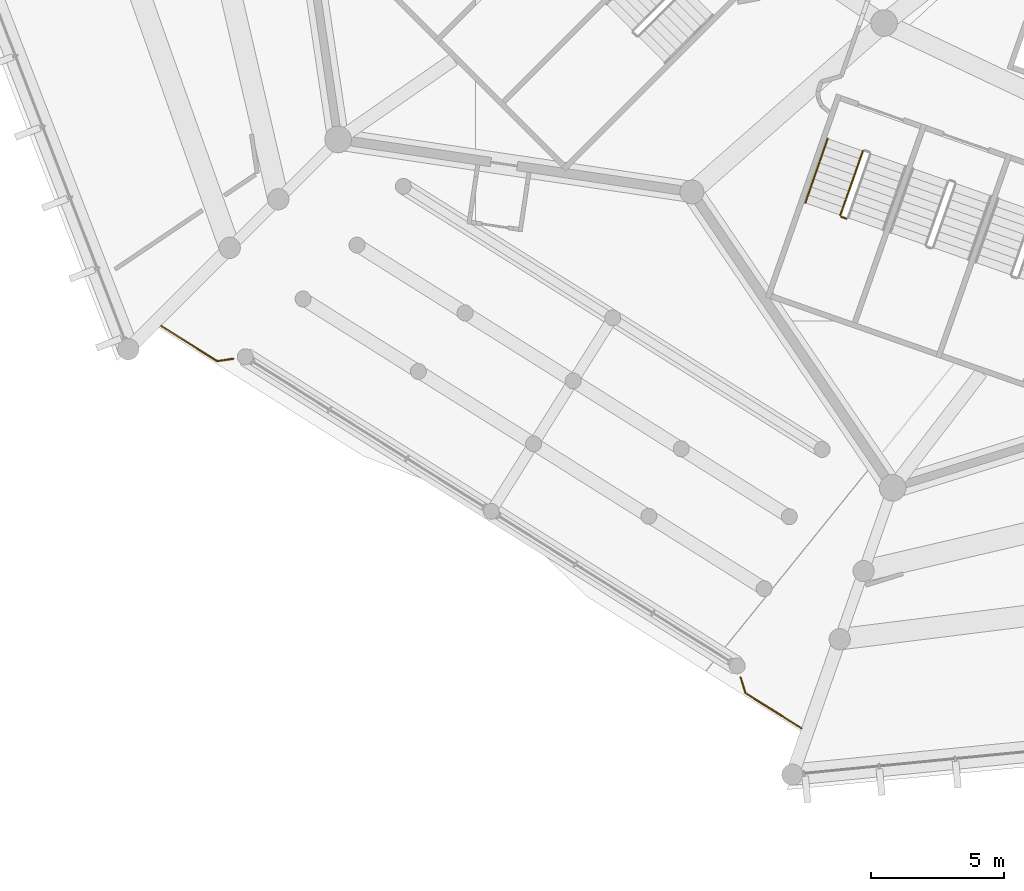
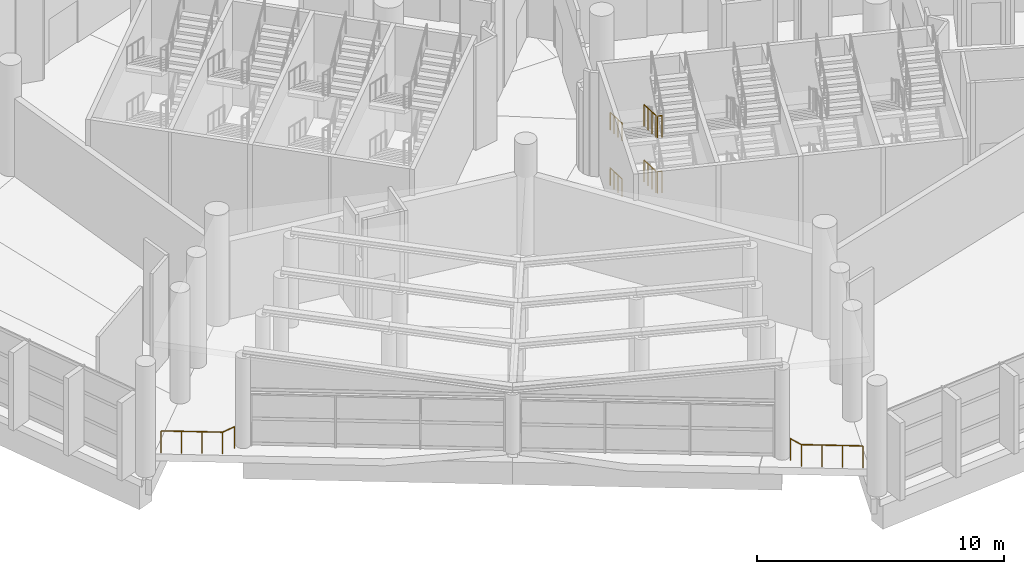
# One storey, part 221 of 271: 8 railings.
"""IFC4 building model written with IfcOpenShell, lengths in metres."""

from ifc_helpers import new_model, si_unit, direction, frame, origin, origin_2d, place, context, subcontext, project, spatial, circle, extrude, material, type_object, element, save


model = new_model("IFC4")

# Units and contexts
model_context = context("Model", 3, precision=1e-05, world=origin(), true_north=direction((0.0, 1.0)))
body_context = subcontext(model_context, "Body", "Model", "MODEL_VIEW")
ifc_project = project(units=[si_unit("LENGTHUNIT", "METRE"), si_unit("AREAUNIT", "SQUARE_METRE"), si_unit("VOLUMEUNIT", "CUBIC_METRE"), si_unit("PLANEANGLEUNIT", "RADIAN"), si_unit("MASSUNIT", "GRAM", prefix="KILO")], contexts=[model_context])

# Site, building, storey
site_placement = place(None, origin())
site = spatial("IfcSite", under=ifc_project, at=site_placement, CompositionType="ELEMENT")
building_placement = place(site_placement, origin())
building = spatial("IfcBuilding", under=site, at=building_placement, Name="Meseta Stadium", CompositionType="ELEMENT")
storey_placement = place(building_placement, frame((0.0, 0.0, 6.5)))
storey = spatial("IfcBuildingStorey", under=building, at=storey_placement, Name="L01", CompositionType="ELEMENT", Elevation=6.5)

# Railings
ifc_material_1 = material(Name="Steel S355", Category="steel")
railing_type_1 = type_object("IfcRailingType", Name="Plate edge guard 1100", PredefinedType="GUARDRAIL", material=ifc_material_1)
railing_1_placement = place(storey_placement, frame((-89.11328125, -97.4287109375, 0.0)))
element("IfcRailing", 1, at=railing_1_placement, inside=storey, type_object=railing_type_1, Name="Gate hall edge guard 15", PredefinedType="GUARDRAIL", context=body_context, shape_type="SweptSolid", body=[
    extrude(circle(Radius=0.02490234375, at=origin_2d()), frame((0.0, 0.0, 1.0751953125), z_axis=(-0.989154781044, -0.146876884287, 0.0), x_axis=(0.146876884287, -0.989154781044, 0.0)), (0.0, 0.0, 1.0), 0.6201171875),
    extrude(circle(Radius=0.02490234375, at=origin_2d()), frame((-0.61328125, -0.091064453125, 1.0751953125), z_axis=(-0.846698272461, 0.532073336497, 0.0), x_axis=(-0.532073336497, -0.846698272461, 0.0)), (0.0, 0.0, 1.0), 2.494873046875),
    extrude(circle(Radius=0.02001953125, at=origin_2d()), origin(), (0.0, 0.0, 1.0), 1.050048828125),
    extrude(circle(Radius=0.02001953125, at=origin_2d()), frame((-0.61328125, -0.091064453125, 0.0)), (0.0, 0.0, 1.0), 1.050048828125),
    extrude(circle(Radius=0.02001953125, at=origin_2d()), frame((-1.3173828125, 0.351318359375, 0.0)), (0.0, 0.0, 1.0), 1.050048828125),
    extrude(circle(Radius=0.02001953125, at=origin_2d()), frame((-2.021484375, 0.7939453125, 0.0)), (0.0, 0.0, 1.0), 1.050048828125),
    extrude(circle(Radius=0.02001953125, at=origin_2d()), frame((-2.7255859375, 1.236328125, 0.0)), (0.0, 0.0, 1.0), 1.050048828125),
])
railing_2_placement = place(storey_placement, frame((-67.729248046875, -111.341552734375, 0.0)))
element("IfcRailing", 2, at=railing_2_placement, inside=storey, type_object=railing_type_1, Name="Gate hall edge guard 16", PredefinedType="GUARDRAIL", context=body_context, shape_type="SweptSolid", body=[
    extrude(circle(Radius=0.02490234375, at=origin_2d()), frame((0.0, 0.0, 1.0751953125), z_axis=(-0.846753668308, 0.531985173861, 0.0), x_axis=(-0.531985173861, -0.846753668308, 0.0)), (0.0, 0.0, 1.0), 2.4951171875),
    extrude(circle(Radius=0.02490234375, at=origin_2d()), frame((-2.11279296875, 1.327392578125, 1.0751953125), z_axis=(-0.292228554876, 0.956348509548, 0.0), x_axis=(-0.956348509548, -0.292228554876, 0.0)), (0.0, 0.0, 1.0), 0.619140625),
    extrude(circle(Radius=0.02001953125, at=origin_2d()), origin(), (0.0, 0.0, 1.0), 1.050048828125),
    extrude(circle(Radius=0.02001953125, at=origin_2d()), frame((-0.704345703125, 0.4423828125, 0.0)), (0.0, 0.0, 1.0), 1.050048828125),
    extrude(circle(Radius=0.02001953125, at=origin_2d()), frame((-1.408447265625, 0.885009765625, 0.0)), (0.0, 0.0, 1.0), 1.050048828125),
    extrude(circle(Radius=0.02001953125, at=origin_2d()), frame((-2.11279296875, 1.327392578125, 0.0)), (0.0, 0.0, 1.0), 1.050048828125),
    extrude(circle(Radius=0.02001953125, at=origin_2d()), frame((-2.293701171875, 1.91943359375, 0.0)), (0.0, 0.0, 1.0), 1.050048828125),
])
ifc_material_2 = material(Name="Steel S355", Category="steel")
railing_type_2 = type_object("IfcRailingType", Name="Stair guard 1100", PredefinedType="GUARDRAIL", material=ifc_material_2)
railing_3_placement = place(storey_placement, frame((-65.421630859375, -89.608154296875, 0.15283203125)))
element("IfcRailing", 3, at=railing_3_placement, inside=storey, type_object=railing_type_2, Name="ST85 L01 guard 1", PredefinedType="GUARDRAIL", context=body_context, shape_type="SweptSolid", body=[
    extrude(circle(Radius=0.02392578125, at=origin_2d()), frame((0.0, 0.0, 1.076171875), z_axis=(-0.298044258026, -0.851788628844, 0.430843071233), x_axis=(0.943886603116, -0.330269708658, 0.0)), (0.0, 0.0, 1.0), 2.836669921875),
    extrude(circle(Radius=0.02099609375, at=origin_2d()), origin(), (0.0, 0.0, 1.0), 1.052001953125),
    extrude(circle(Radius=0.02099609375, at=origin_2d()), frame((-0.28173828125, -0.805419921875, 0.407470703125)), (0.0, 0.0, 1.0), 1.052001953125),
    extrude(circle(Radius=0.02099609375, at=origin_2d()), frame((-0.563720703125, -1.61083984375, 0.814697265625)), (0.0, 0.0, 1.0), 1.052001953125),
    extrude(circle(Radius=0.02099609375, at=origin_2d()), frame((-0.845458984375, -2.416259765625, 1.22216796875)), (0.0, 0.0, 1.0), 1.052001953125),
])
railing_4_placement = place(storey_placement, frame((-66.236328125, -92.088134765625, 1.375)))
element("IfcRailing", 4, at=railing_4_placement, inside=storey, type_object=railing_type_2, Name="ST85 L01 guard 2", PredefinedType="GUARDRAIL", context=body_context, shape_type="SweptSolid", body=[
    extrude(circle(Radius=0.02392578125, at=origin_2d()), frame((0.0, 0.0, 1.076171875), z_axis=(0.943686935281, -0.330839792317, 0.0), x_axis=(0.330839792317, 0.943686935281, 0.0)), (0.0, 0.0, 1.0), 0.199951171875),
    extrude(circle(Radius=0.02099609375, at=origin_2d()), origin(), (0.0, 0.0, 1.0), 1.052001953125),
    extrude(circle(Radius=0.02099609375, at=origin_2d()), frame((0.188720703125, -0.066162109375, 0.0)), (0.0, 0.0, 1.0), 1.052001953125),
])
railing_5_placement = place(storey_placement, frame((-65.421630859375, -89.608154296875, 2.90283203125)))
element("IfcRailing", 5, at=railing_5_placement, inside=storey, type_object=railing_type_2, Name="ST85 L01 guard 5", PredefinedType="GUARDRAIL", context=body_context, shape_type="SweptSolid", body=[
    extrude(circle(Radius=0.02392578125, at=origin_2d()), frame((0.0, 0.0, 1.076171875), z_axis=(-0.298044258026, -0.851788628844, 0.430843071233), x_axis=(0.943886603116, -0.330269708658, 0.0)), (0.0, 0.0, 1.0), 2.836669921875),
    extrude(circle(Radius=0.02099609375, at=origin_2d()), origin(), (0.0, 0.0, 1.0), 1.052001953125),
    extrude(circle(Radius=0.02099609375, at=origin_2d()), frame((-0.28173828125, -0.805419921875, 0.407470703125)), (0.0, 0.0, 1.0), 1.052001953125),
    extrude(circle(Radius=0.02099609375, at=origin_2d()), frame((-0.563720703125, -1.61083984375, 0.814697265625)), (0.0, 0.0, 1.0), 1.052001953125),
    extrude(circle(Radius=0.02099609375, at=origin_2d()), frame((-0.845458984375, -2.416259765625, 1.22216796875)), (0.0, 0.0, 1.0), 1.052001953125),
])
railing_6_placement = place(storey_placement, frame((-66.236328125, -92.088134765625, 4.125)))
element("IfcRailing", 6, at=railing_6_placement, inside=storey, type_object=railing_type_2, Name="ST85 L01 guard 6", PredefinedType="GUARDRAIL", context=body_context, shape_type="SweptSolid", body=[
    extrude(circle(Radius=0.02392578125, at=origin_2d()), frame((0.0, 0.0, 1.076171875), z_axis=(0.943686935281, -0.330839792317, 0.0), x_axis=(0.330839792317, 0.943686935281, 0.0)), (0.0, 0.0, 1.0), 0.199951171875),
    extrude(circle(Radius=0.02099609375, at=origin_2d()), origin(), (0.0, 0.0, 1.0), 1.052001953125),
    extrude(circle(Radius=0.02099609375, at=origin_2d()), frame((0.188720703125, -0.066162109375, 0.0)), (0.0, 0.0, 1.0), 1.052001953125),
])
ifc_material_3 = material(Name="Steel S355", Category="steel")
railing_type_3 = type_object("IfcRailingType", Name="Stair handrail 900", PredefinedType="HANDRAIL", material=ifc_material_3)
for number, where, name in (
    (7, (-66.7431640625, -89.145751953125, 0.15283203125), "ST85 L01 handrail 1"),
    (8, (-66.7431640625, -89.145751953125, 2.90283203125), "ST85 L01 handrail 3"),
):
    element("IfcRailing", number, at=place(storey_placement, frame(where)), inside=storey, type_object=railing_type_3, Name=name, PredefinedType="HANDRAIL", context=body_context, shape_type="SweptSolid", body=[
        extrude(circle(Radius=0.02392578125, at=origin_2d()), frame((0.0, 0.0, 0.8759765625), z_axis=(-0.298044258026, -0.851788628844, 0.430843071233), x_axis=(0.943886603116, -0.330269708658, 0.0)), (0.0, 0.0, 1.0), 2.836669921875),
        extrude(circle(Radius=0.02099609375, at=origin_2d()), origin(), (0.0, 0.0, 1.0), 0.851806640625),
        extrude(circle(Radius=0.02099609375, at=origin_2d()), frame((-0.28173828125, -0.805419921875, 0.407470703125)), (0.0, 0.0, 1.0), 0.851806640625),
        extrude(circle(Radius=0.02099609375, at=origin_2d()), frame((-0.563720703125, -1.61083984375, 0.814697265625)), (0.0, 0.0, 1.0), 0.851806640625),
        extrude(circle(Radius=0.02099609375, at=origin_2d()), frame((-0.845458984375, -2.416259765625, 1.22216796875)), (0.0, 0.0, 1.0), 0.851806640625),
    ])

save(model, "model.ifc")
